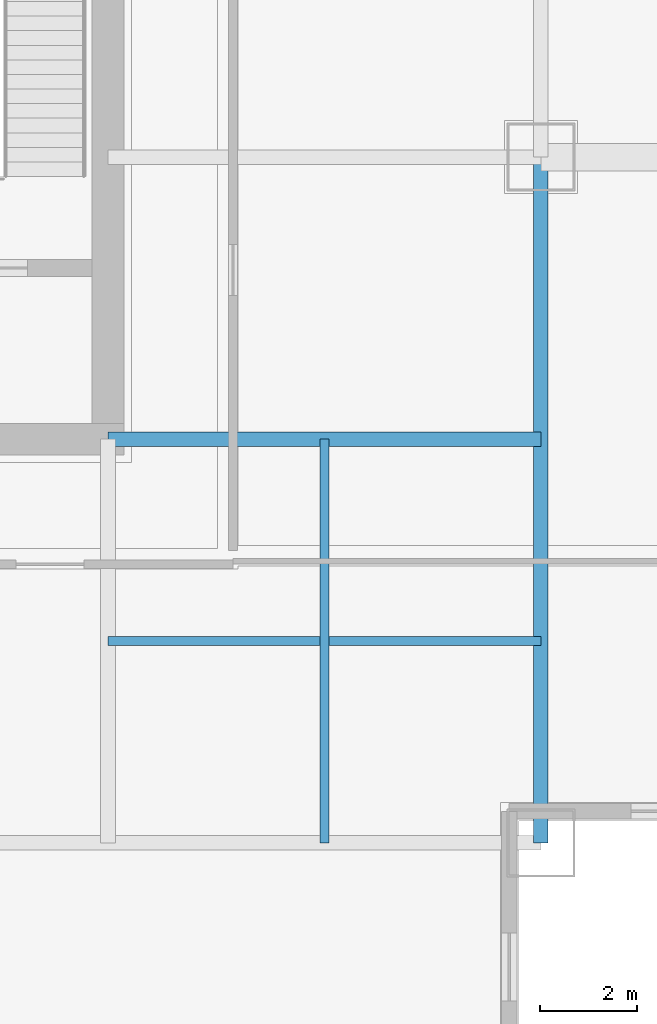
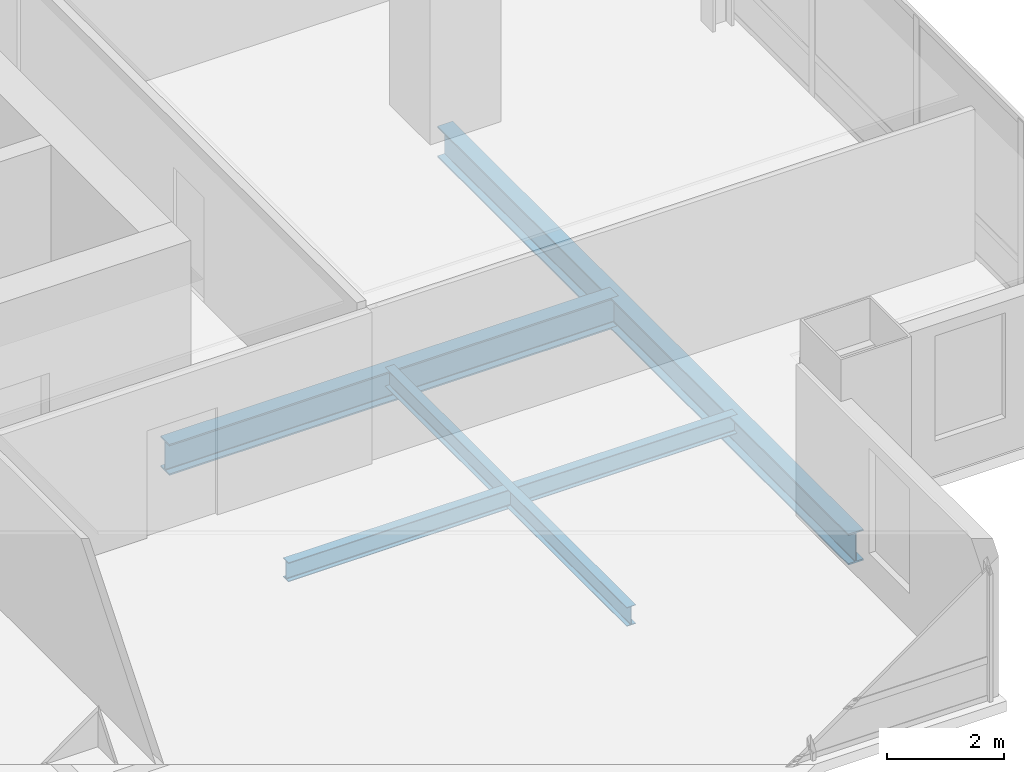
# One storey, part 15 of 36: 4 beams.
"""IFC4 building model written with IfcOpenShell, lengths in metres."""

from ifc_helpers import new_model, si_unit, direction, frame, origin, origin_2d, place, context, subcontext, project, spatial, i_section, extrude, material, material_profile, profile_set, type_object, element, save


model = new_model("IFC4")

# Units and contexts
model_context = context("Model", 3, precision=1e-05, world=origin(), true_north=direction((0.0, 1.0)))
body_context = subcontext(model_context, "Body", "Model", "MODEL_VIEW")
ifc_project = project(units=[si_unit("LENGTHUNIT", "METRE"), si_unit("AREAUNIT", "SQUARE_METRE"), si_unit("VOLUMEUNIT", "CUBIC_METRE"), si_unit("PLANEANGLEUNIT", "RADIAN"), si_unit("MASSUNIT", "GRAM", prefix="KILO")], contexts=[model_context])

# Site, building, storey
site_placement = place(None, origin())
site = spatial("IfcSite", under=ifc_project, at=site_placement, CompositionType="ELEMENT")
building_placement = place(site_placement, origin())
building = spatial("IfcBuilding", under=site, at=building_placement, Name="Punatoya Terracotta Tower", CompositionType="ELEMENT")
storey_placement = place(building_placement, frame((0.0, 0.0, 228.89990234375)))
storey = spatial("IfcBuildingStorey", under=building, at=storey_placement, Name="L54", CompositionType="ELEMENT", Elevation=228.89990234375)

# Beams
ifc_material = material(Name="Steel S355", Category="steel")
ifc_material_profile_1 = material_profile(ifc_material, i_section(OverallWidth=0.300048828125, OverallDepth=0.64990234375, WebThickness=0.01611328125, FlangeThickness=0.031005859375, FilletRadius=0.01806640625, at=origin_2d()))
ifc_profile_set_1 = profile_set([ifc_material_profile_1], Name="Steel S355")
beam_type_1 = type_object("IfcBeamType", Name="BM-PRI-650", PredefinedType="BEAM", material=ifc_profile_set_1)
beam_1_placement = place(storey_placement, frame((19.10009765625, -17.5, -0.544921875), z_axis=(0.0, 1.0, 0.0), x_axis=(-1.0, 0.0, 0.0)))
element("IfcBeam", 1, at=beam_1_placement, inside=storey, type_object=beam_type_1, Name="BM-L54-RG-E1", PredefinedType="BEAM", context=body_context, shape_type="SweptSolid", body=[
    extrude(i_section(OverallWidth=0.300048828125, OverallDepth=0.64990234375, WebThickness=0.01611328125, FlangeThickness=0.031005859375, FilletRadius=0.01806640625, at=origin_2d()), origin(), (0.0, 0.0, 1.0), 14.10009765625),
])
beam_2_placement = place(storey_placement, frame((10.199951171875, -9.199951171875, -0.544921875), z_axis=(1.0, 0.0, 0.0), x_axis=(0.0, 1.0, 0.0)))
element("IfcBeam", 2, at=beam_2_placement, inside=storey, type_object=beam_type_1, Name="BM-L54-PR-ES", PredefinedType="BEAM", context=body_context, shape_type="SweptSolid", body=[
    extrude(i_section(OverallWidth=0.300048828125, OverallDepth=0.64990234375, WebThickness=0.01611328125, FlangeThickness=0.031005859375, FilletRadius=0.01806640625, at=origin_2d()), origin(), (0.0, 0.0, 1.0), 8.900146484375),
])
ifc_material_profile_2 = material_profile(ifc_material, i_section(OverallWidth=0.179931640625, OverallDepth=0.39990234375, WebThickness=0.008544921875, FlangeThickness=0.013427734375, FilletRadius=0.01806640625, at=origin_2d()))
ifc_profile_set_2 = profile_set([ifc_material_profile_2], Name="Steel S355")
beam_type_2 = type_object("IfcBeamType", Name="BM-SEC-400", PredefinedType="JOIST", material=ifc_profile_set_2)
beam_3_placement = place(storey_placement, frame((10.199951171875, -13.35009765625, -0.419921875), z_axis=(1.0, 0.0, 0.0), x_axis=(0.0, 1.0, 0.0)))
element("IfcBeam", 3, at=beam_3_placement, inside=storey, type_object=beam_type_2, Name="BM-L54-SJS-2", PredefinedType="JOIST", context=body_context, shape_type="SweptSolid", body=[
    extrude(i_section(OverallWidth=0.179931640625, OverallDepth=0.39990234375, WebThickness=0.008544921875, FlangeThickness=0.013427734375, FilletRadius=0.01806640625, at=origin_2d()), origin(), (0.0, 0.0, 1.0), 8.900146484375),
])
beam_4_placement = place(storey_placement, frame((14.64990234375, -17.5, -0.419921875), z_axis=(0.0, 1.0, 0.0), x_axis=(-1.0, 0.0, 0.0)))
element("IfcBeam", 4, at=beam_4_placement, inside=storey, type_object=beam_type_2, Name="BM-L54-SJE-1", PredefinedType="JOIST", context=body_context, shape_type="SweptSolid", body=[
    extrude(i_section(OverallWidth=0.179931640625, OverallDepth=0.39990234375, WebThickness=0.008544921875, FlangeThickness=0.013427734375, FilletRadius=0.01806640625, at=origin_2d()), origin(), (0.0, 0.0, 1.0), 8.300048828125),
])

save(model, "model.ifc")
